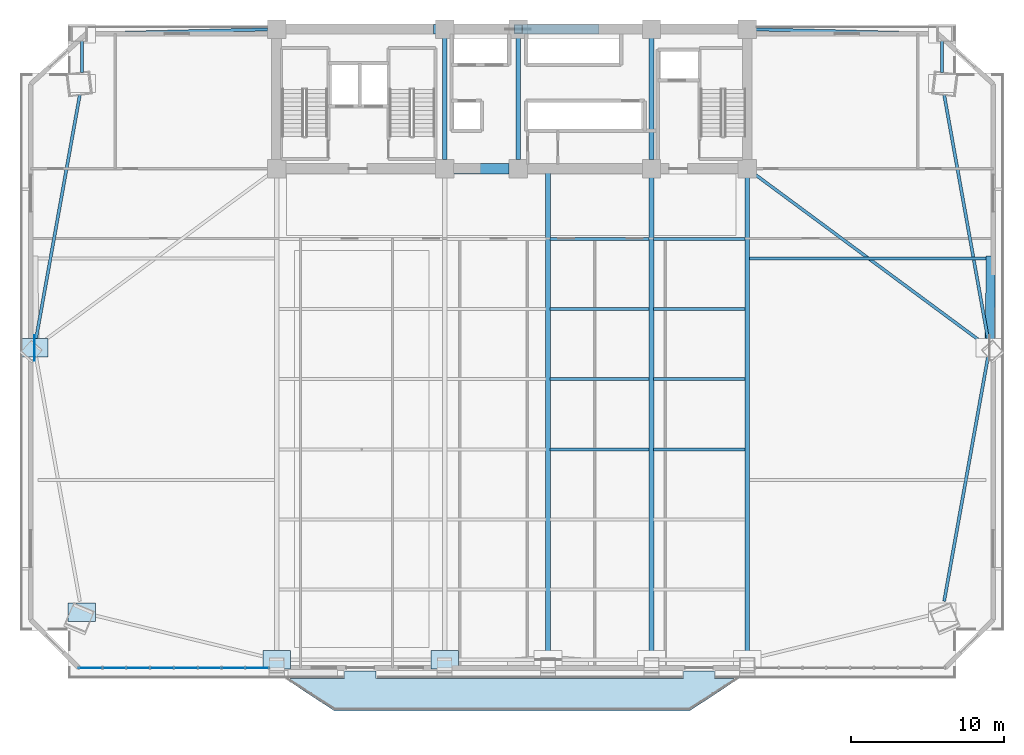
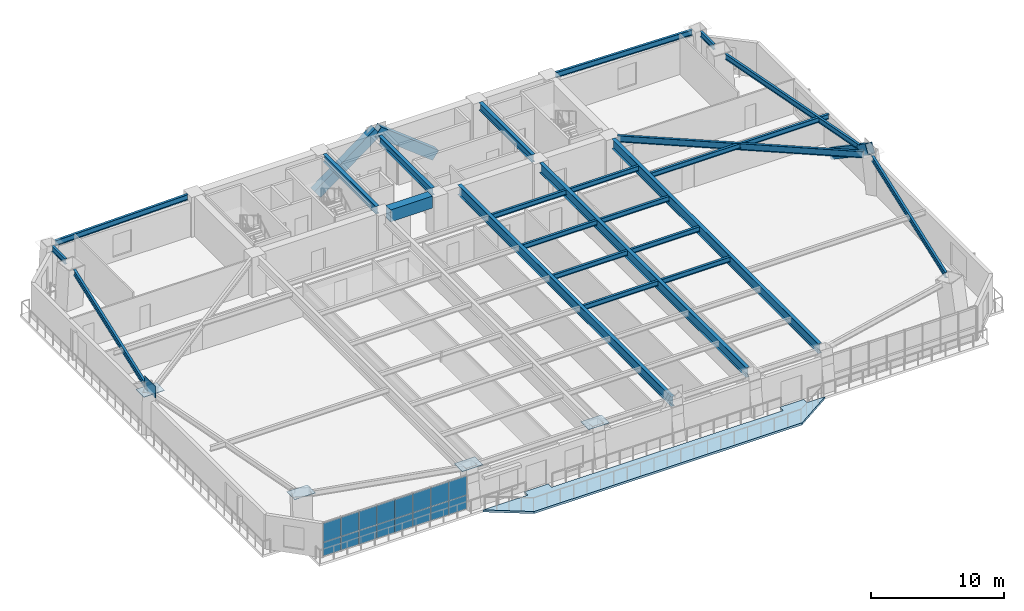
# One storey, part 8 of 18: 24 beams, 21 plates, 3 members, 1 slab, 1 element without a shape of its own.
"""IFC4 building model written with IfcOpenShell, lengths in metres."""

from ifc_helpers import new_model, si_unit, direction, frame, origin, origin_2d, place, context, subcontext, project, spatial, polyline, rectangle, hollow_rectangle, i_section, outline, extrude, source, transform, mapped, material, layer, layer_set, material_profile, profile_set, type_object, element, aggregate, save


model = new_model("IFC4")

# Units and contexts
model_context = context("Model", 3, precision=1e-05, world=origin(), true_north=direction((0.0, 1.0)))
body_context = subcontext(model_context, "Body", "Model", "MODEL_VIEW")
ifc_project = project(units=[si_unit("LENGTHUNIT", "METRE"), si_unit("AREAUNIT", "SQUARE_METRE"), si_unit("VOLUMEUNIT", "CUBIC_METRE"), si_unit("PLANEANGLEUNIT", "RADIAN"), si_unit("MASSUNIT", "GRAM", prefix="KILO")], contexts=[model_context])

# Site, building, storey
site_placement = place(None, origin())
site = spatial("IfcSite", under=ifc_project, at=site_placement, CompositionType="ELEMENT")
building_placement = place(site_placement, origin())
building = spatial("IfcBuilding", under=site, at=building_placement, Name="Giltprow Tower", CompositionType="ELEMENT")
storey_placement = place(building_placement, frame((0.0, 0.0, 68.89990234375)))
storey = spatial("IfcBuildingStorey", under=building, at=storey_placement, Name="L17", CompositionType="ELEMENT", Elevation=68.89990234375)

# Beams
ifc_material_1 = material(Name="Concrete C60", Category="concrete")
ifc_material_profile_1 = material_profile(ifc_material_1, rectangle(XDim=0.699951171875, YDim=1.10009765625, at=origin_2d()), Name="RC 1100x700")
ifc_profile_set_1 = profile_set([ifc_material_profile_1], Name="Concrete C60")
beam_type_1 = type_object("IfcBeamType", Name="BM-CPL-RC1100", PredefinedType="LINTEL", material=ifc_profile_set_1)
shared_shape_1 = source(origin(), body_context, "Body", "SweptSolid", [
    extrude(rectangle(XDim=0.699951171875, YDim=1.10009765625, at=origin_2d()), origin(), (0.0, 0.0, 1.0), 3.6298828125),
])
beam_1_placement = place(storey_placement, frame((31.385009765625, 37.449951171875, 3.090087890625), z_axis=(1.0, 0.0, 0.0), x_axis=(0.0, 1.0, 0.0)))
element("IfcBeam", 1, at=beam_1_placement, inside=storey, type_object=beam_type_1, Name="L17 Core Coupling Beam CB-1", PredefinedType="LINTEL", context=body_context, shape_type="MappedRepresentation", body=[
    mapped(shared_shape_1, transform((0.0, 0.0, 0.0), x_axis=(1.0, 0.0, 0.0), y_axis=(0.0, 1.0, 0.0), z_axis=(0.0, 0.0, 1.0), scale=1.0)),
])
ifc_material_2 = material(Name="Structural steel Q355B", Category="steel")
ifc_material_profile_2 = material_profile(ifc_material_2, i_section(OverallWidth=0.300048828125, OverallDepth=0.699951171875, WebThickness=0.012939453125, FlangeThickness=0.02392578125, at=origin_2d()), Name="HN 700x300x13x24")
ifc_profile_set_2 = profile_set([ifc_material_profile_2], Name="Structural steel Q355B")
beam_type_2 = type_object("IfcBeamType", Name="BM-GIRD-HN700", PredefinedType="BEAM", material=ifc_profile_set_2)
shared_shape_2 = source(origin(), body_context, "Body", "SweptSolid", [
    extrude(i_section(OverallWidth=0.300048828125, OverallDepth=0.699951171875, WebThickness=0.012939453125, FlangeThickness=0.02392578125, at=origin_2d()), origin(), (0.0, 0.0, 1.0), 7.93017578125),
])
for number, where, z_axis, x_axis, name in (
    (2, (30.800048828125, 38.034912109375, 3.2900390625), (0.0, 1.0, 0.0), (-1.0, 0.0, 0.0), "L17 Core Tie Girder M1"),
    (3, (35.60009765625, 38.034912109375, 3.2900390625), (0.0, 1.0, 0.0), (-1.0, 0.0, 0.0), "L17 Core Tie Girder M2"),
    (4, (44.300048828125, 38.034912109375, 3.2900390625), (0.0, 1.0, 0.0), (-1.0, 0.0, 0.0), "L17 Core Tie Girder M3"),
):
    element("IfcBeam", number, at=place(storey_placement, frame(where, z_axis=z_axis, x_axis=x_axis)), inside=storey, type_object=beam_type_2, Name=name, PredefinedType="BEAM", context=body_context, shape_type="MappedRepresentation", body=[
        mapped(shared_shape_2, transform((0.0, 0.0, 0.0), x_axis=(1.0, 0.0, 0.0), y_axis=(0.0, 1.0, 0.0), z_axis=(0.0, 0.0, 1.0), scale=1.0)),
    ])
ifc_material_profile_3 = material_profile(ifc_material_2, i_section(OverallWidth=0.199951171875, OverallDepth=0.449951171875, WebThickness=0.009033203125, FlangeThickness=0.013916015625, at=origin_2d()), Name="HN 450x200x9x14")
ifc_profile_set_3 = profile_set([ifc_material_profile_3], Name="Structural steel Q355B")
beam_type_3 = type_object("IfcBeamType", Name="BM-JOIST-HN450", PredefinedType="JOIST", material=ifc_profile_set_3)
shared_shape_3 = source(origin(), body_context, "Body", "SweptSolid", [
    extrude(i_section(OverallWidth=0.199951171875, OverallDepth=0.449951171875, WebThickness=0.009033203125, FlangeThickness=0.013916015625, at=origin_2d()), origin(), (0.0, 0.0, 1.0), 6.4599609375),
])
for number, where, z_axis, x_axis, name in (
    (5, (37.695068359375, 19.14111328125, 3.4150390625), (1.0, 0.0, 0.0), (0.0, 1.0, 0.0), "L17 Composite Floor Joist 3-3"),
    (6, (37.695068359375, 23.718017578125, 3.4150390625), (1.0, 0.0, 0.0), (0.0, 1.0, 0.0), "L17 Composite Floor Joist 4-3"),
    (7, (37.695068359375, 28.294921875, 3.4150390625), (1.0, 0.0, 0.0), (0.0, 1.0, 0.0), "L17 Composite Floor Joist 5-3"),
    (8, (37.695068359375, 32.873046875, 3.4150390625), (1.0, 0.0, 0.0), (0.0, 1.0, 0.0), "L17 Composite Floor Joist 6-3"),
):
    element("IfcBeam", number, at=place(storey_placement, frame(where, z_axis=z_axis, x_axis=x_axis)), inside=storey, type_object=beam_type_3, Name=name, PredefinedType="JOIST", context=body_context, shape_type="MappedRepresentation", body=[
        mapped(shared_shape_3, transform((0.0, 0.0, 0.0), x_axis=(1.0, 0.0, 0.0), y_axis=(0.0, 1.0, 0.0), z_axis=(0.0, 0.0, 1.0), scale=1.0)),
    ])
shared_shape_4 = source(origin(), body_context, "Body", "SweptSolid", [
    extrude(i_section(OverallWidth=0.199951171875, OverallDepth=0.449951171875, WebThickness=0.009033203125, FlangeThickness=0.013916015625, at=origin_2d()), origin(), (0.0, 0.0, 1.0), 5.9599609375),
])
for number, where, z_axis, x_axis, name in (
    (9, (44.445068359375, 19.14111328125, 3.4150390625), (1.0, 0.0, 0.0), (0.0, 1.0, 0.0), "L17 Composite Floor Joist 3-4"),
    (10, (44.445068359375, 23.718017578125, 3.4150390625), (1.0, 0.0, 0.0), (0.0, 1.0, 0.0), "L17 Composite Floor Joist 4-4"),
    (11, (44.445068359375, 28.294921875, 3.4150390625), (1.0, 0.0, 0.0), (0.0, 1.0, 0.0), "L17 Composite Floor Joist 5-4"),
    (12, (44.445068359375, 32.873046875, 3.4150390625), (1.0, 0.0, 0.0), (0.0, 1.0, 0.0), "L17 Composite Floor Joist 6-4"),
):
    element("IfcBeam", number, at=place(storey_placement, frame(where, z_axis=z_axis, x_axis=x_axis)), inside=storey, type_object=beam_type_3, Name=name, PredefinedType="JOIST", context=body_context, shape_type="MappedRepresentation", body=[
        mapped(shared_shape_4, transform((0.0, 0.0, 0.0), x_axis=(1.0, 0.0, 0.0), y_axis=(0.0, 1.0, 0.0), z_axis=(0.0, 0.0, 1.0), scale=1.0)),
    ])
ifc_material_profile_4 = material_profile(ifc_material_2, i_section(OverallWidth=0.199951171875, OverallDepth=0.5, WebThickness=0.010009765625, FlangeThickness=0.01611328125, at=origin_2d()), Name="HN 500x200x10x16")
ifc_profile_set_4 = profile_set([ifc_material_profile_4], Name="Structural steel Q355B")
beam_type_4 = type_object("IfcBeamType", Name="BM-SPAN-HN500", PredefinedType="SPANDREL", material=ifc_profile_set_4)
shared_shape_5 = source(origin(), body_context, "Body", "SweptSolid", [
    extrude(i_section(OverallWidth=0.199951171875, OverallDepth=0.5, WebThickness=0.010009765625, FlangeThickness=0.01611328125, at=origin_2d()), origin(), (0.0, 0.0, 1.0), 16.306396484375),
])
beam_2_placement = place(storey_placement, frame((63.39501953125, 9.22802734375, 3.39013671875), z_axis=(0.176610878208, 0.984280751462, 0.0), x_axis=(-0.984280751462, 0.176610878208, 0.0)))
element("IfcBeam", 13, at=beam_2_placement, inside=storey, type_object=beam_type_4, Name="L17 Perimeter Spandrel Beam MC_SE-E_MID", PredefinedType="SPANDREL", context=body_context, shape_type="MappedRepresentation", body=[
    mapped(shared_shape_5, transform((0.0, 0.0, 0.0), x_axis=(1.0, 0.0, 0.0), y_axis=(0.0, 1.0, 0.0), z_axis=(0.0, 0.0, 1.0), scale=1.0)),
])
shared_shape_6 = source(origin(), body_context, "Body", "SweptSolid", [
    extrude(i_section(OverallWidth=0.199951171875, OverallDepth=0.5, WebThickness=0.010009765625, FlangeThickness=0.01611328125, at=origin_2d()), origin(), (0.0, 0.0, 1.0), 16.305419921875),
])
for number, where, z_axis, x_axis, name in (
    (14, (66.27490234375, 26.23193359375, 3.39013671875), (-0.176621289492, 0.984278883294, 0.0), (-0.984278883294, -0.176621289492, 0.0), "L17 Perimeter Spandrel Beam E_MID-MC_NE"),
    (15, (7.006103515625, 42.281005859375, 3.39013671875), (-0.176635795333, -0.984276280222, 0.0), (0.984276280222, -0.176635795333, 0.0), "L17 Perimeter Spandrel Beam MC_NW-W_MID"),
):
    element("IfcBeam", number, at=place(storey_placement, frame(where, z_axis=z_axis, x_axis=x_axis)), inside=storey, type_object=beam_type_4, Name=name, PredefinedType="SPANDREL", context=body_context, shape_type="MappedRepresentation", body=[
        mapped(shared_shape_6, transform((0.0, 0.0, 0.0), x_axis=(1.0, 0.0, 0.0), y_axis=(0.0, 1.0, 0.0), z_axis=(0.0, 0.0, 1.0), scale=1.0)),
    ])
shared_shape_7 = source(origin(), body_context, "Body", "SweptSolid", [
    extrude(i_section(OverallWidth=0.199951171875, OverallDepth=0.5, WebThickness=0.010009765625, FlangeThickness=0.01611328125, at=origin_2d()), origin(), (0.0, 0.0, 1.0), 2.02587890625),
])
for number, where, z_axis, x_axis, name in (
    (16, (63.264892578125, 43.739013671875, 3.39013671875), (0.0, 1.0, 0.0), (-1.0, 0.0, 0.0), "L17 Perimeter Spandrel Beam MC_NE-N_E"),
    (17, (7.135986328125, 45.764892578125, 3.39013671875), (0.0, -1.0, 0.0), (1.0, 0.0, 0.0), "L17 Perimeter Spandrel Beam N_W-MC_NW"),
):
    element("IfcBeam", number, at=place(storey_placement, frame(where, z_axis=z_axis, x_axis=x_axis)), inside=storey, type_object=beam_type_4, Name=name, PredefinedType="SPANDREL", context=body_context, shape_type="MappedRepresentation", body=[
        mapped(shared_shape_7, transform((0.0, 0.0, 0.0), x_axis=(1.0, 0.0, 0.0), y_axis=(0.0, 1.0, 0.0), z_axis=(0.0, 0.0, 1.0), scale=1.0)),
    ])
shared_shape_8 = source(origin(), body_context, "Body", "SweptSolid", [
    extrude(i_section(OverallWidth=0.199951171875, OverallDepth=0.5, WebThickness=0.010009765625, FlangeThickness=0.01611328125, at=origin_2d()), origin(), (0.0, 0.0, 1.0), 11.64697265625),
])
beam_3_placement = place(storey_placement, frame((7.62109375, 46.260986328125, 3.39013671875), z_axis=(0.999721416114, 0.023602757523, 0.0), x_axis=(-0.023602757523, 0.999721416114, 0.0)))
element("IfcBeam", 18, at=beam_3_placement, inside=storey, type_object=beam_type_4, Name="L17 North Wing Spandrel W", PredefinedType="SPANDREL", context=body_context, shape_type="MappedRepresentation", body=[
    mapped(shared_shape_8, transform((0.0, 0.0, 0.0), x_axis=(1.0, 0.0, 0.0), y_axis=(0.0, 1.0, 0.0), z_axis=(0.0, 0.0, 1.0), scale=1.0)),
])
shared_shape_9 = source(origin(), body_context, "Body", "SweptSolid", [
    extrude(i_section(OverallWidth=0.199951171875, OverallDepth=0.5, WebThickness=0.010009765625, FlangeThickness=0.01611328125, at=origin_2d()), origin(), (0.0, 0.0, 1.0), 11.648193359375),
])
beam_4_placement = place(storey_placement, frame((51.135009765625, 46.535888671875, 3.39013671875), z_axis=(0.999721474492, -0.023600284714, 0.0), x_axis=(0.023600284714, 0.999721474492, 0.0)))
element("IfcBeam", 19, at=beam_4_placement, inside=storey, type_object=beam_type_4, Name="L17 North Wing Spandrel E", PredefinedType="SPANDREL", context=body_context, shape_type="MappedRepresentation", body=[
    mapped(shared_shape_9, transform((0.0, 0.0, 0.0), x_axis=(1.0, 0.0, 0.0), y_axis=(0.0, 1.0, 0.0), z_axis=(0.0, 0.0, 1.0), scale=1.0)),
])
ifc_material_profile_5 = material_profile(ifc_material_2, i_section(OverallWidth=0.300048828125, OverallDepth=0.89990234375, WebThickness=0.01611328125, FlangeThickness=0.028076171875, at=origin_2d()), Name="HN 900x300x16x28")
ifc_profile_set_5 = profile_set([ifc_material_profile_5], Name="Structural steel Q355B")
beam_type_5 = type_object("IfcBeamType", Name="BM-GIRD-HN900", PredefinedType="BEAM", material=ifc_profile_set_5)
shared_shape_10 = source(origin(), body_context, "Body", "SweptSolid", [
    extrude(i_section(OverallWidth=0.300048828125, OverallDepth=0.89990234375, WebThickness=0.01611328125, FlangeThickness=0.028076171875, at=origin_2d()), origin(), (0.0, 0.0, 1.0), 30.970947265625),
])
for number, where, z_axis, x_axis, name in (
    (20, (44.300048828125, 5.89404296875, 3.190185546875), (0.0, 1.0, 0.0), (-1.0, 0.0, 0.0), "L17 Primary Lease Girder S3"),
    (21, (50.550048828125, 5.89404296875, 3.190185546875), (0.0, 1.0, 0.0), (-1.0, 0.0, 0.0), "L17 Primary Lease Girder S4"),
):
    element("IfcBeam", number, at=place(storey_placement, frame(where, z_axis=z_axis, x_axis=x_axis)), inside=storey, type_object=beam_type_5, Name=name, PredefinedType="BEAM", context=body_context, shape_type="MappedRepresentation", body=[
        mapped(shared_shape_10, transform((0.0, 0.0, 0.0), x_axis=(1.0, 0.0, 0.0), y_axis=(0.0, 1.0, 0.0), z_axis=(0.0, 0.0, 1.0), scale=1.0)),
    ])
shared_shape_11 = source(origin(), body_context, "Body", "SweptSolid", [
    extrude(i_section(OverallWidth=0.300048828125, OverallDepth=0.89990234375, WebThickness=0.01611328125, FlangeThickness=0.028076171875, at=origin_2d()), origin(), (0.0, 0.0, 1.0), 32.041015625),
])
beam_5_placement = place(storey_placement, frame((37.550048828125, 5.408935546875, 3.190185546875), z_axis=(0.0, 1.0, 0.0), x_axis=(-1.0, 0.0, 0.0)))
element("IfcBeam", 22, at=beam_5_placement, inside=storey, type_object=beam_type_5, Name="L17 Central Lease Girder SMID", PredefinedType="BEAM", context=body_context, shape_type="MappedRepresentation", body=[
    mapped(shared_shape_11, transform((0.0, 0.0, 0.0), x_axis=(1.0, 0.0, 0.0), y_axis=(0.0, 1.0, 0.0), z_axis=(0.0, 0.0, 1.0), scale=1.0)),
])
ifc_material_profile_6 = material_profile(ifc_material_2, i_section(OverallWidth=0.199951171875, OverallDepth=0.60009765625, WebThickness=0.010986328125, FlangeThickness=0.01708984375, at=origin_2d()), Name="HN 600x200x11x17")
ifc_profile_set_6 = profile_set([ifc_material_profile_6], Name="Structural steel Q355B")
beam_type_6 = type_object("IfcBeamType", Name="BM-GIRD-HN600", PredefinedType="BEAM", material=ifc_profile_set_6)
shared_shape_12 = source(origin(), body_context, "Body", "SweptSolid", [
    extrude(i_section(OverallWidth=0.199951171875, OverallDepth=0.60009765625, WebThickness=0.010986328125, FlangeThickness=0.01708984375, at=origin_2d()), origin(), (0.0, 0.0, 1.0), 18.5966796875),
])
beam_6_placement = place(storey_placement, frame((65.970947265625, 26.04296875, 3.340087890625), z_axis=(-0.803960274963, 0.59468300487, 0.0), x_axis=(-0.59468300487, -0.803960274963, 0.0)))
element("IfcBeam", 23, at=beam_6_placement, inside=storey, type_object=beam_type_6, Name="L17 East Wing Primary Girder", PredefinedType="BEAM", context=body_context, shape_type="MappedRepresentation", body=[
    mapped(shared_shape_12, transform((0.0, 0.0, 0.0), x_axis=(1.0, 0.0, 0.0), y_axis=(0.0, 1.0, 0.0), z_axis=(0.0, 0.0, 1.0), scale=1.0)),
])
shared_shape_13 = source(origin(), body_context, "Body", "SweptSolid", [
    extrude(i_section(OverallWidth=0.199951171875, OverallDepth=0.449951171875, WebThickness=0.009033203125, FlangeThickness=0.013916015625, at=origin_2d()), origin(), (0.0, 0.0, 1.0), 15.446044921875),
])
beam_7_placement = place(storey_placement, frame((50.695068359375, 31.60205078125, 3.4150390625), z_axis=(1.0, 0.0, 0.0), x_axis=(0.0, 1.0, 0.0)))
element("IfcBeam", 24, at=beam_7_placement, inside=storey, type_object=beam_type_3, Name="L17 East Wing Floor Joist 2", PredefinedType="JOIST", context=body_context, shape_type="MappedRepresentation", body=[
    mapped(shared_shape_13, transform((0.0, 0.0, 0.0), x_axis=(1.0, 0.0, 0.0), y_axis=(0.0, 1.0, 0.0), z_axis=(0.0, 0.0, 1.0), scale=1.0)),
])

# Members
ifc_material_3 = material(Name="Structural steel Q420GJC", Category="steel")
ifc_material_profile_7 = material_profile(ifc_material_3, hollow_rectangle(XDim=0.60009765625, YDim=0.89990234375, WallThickness=0.0400390625, at=origin_2d()), Name="RHS 900x600x40")
ifc_profile_set_7 = profile_set([ifc_material_profile_7], Name="Structural steel Q420GJC")
member_type = type_object("IfcMemberType", Name="MBR-MEGA-RHS900", PredefinedType="BRACE", material=ifc_profile_set_7)
shared_shape_14 = source(origin(), body_context, "Body", "SweptSolid", [
    extrude(hollow_rectangle(XDim=0.60009765625, YDim=0.89990234375, WallThickness=0.0400390625, at=origin_2d()), origin(), (0.0, 0.0, 1.0), 6.5400390625),
])
member_1_placement = place(storey_placement, frame((30.35009765625, 46.550048828125, -0.139892578125), z_axis=(0.802750995836, 0.0, 0.596314379068), x_axis=(0.0, 1.0, 0.0)))
element("IfcMember", 25, at=member_1_placement, inside=storey, type_object=member_type, Name="L17 Chevron Mega-Brace N-L", PredefinedType="BRACE", context=body_context, shape_type="MappedRepresentation", body=[
    mapped(shared_shape_14, transform((0.0, 0.0, 0.0), x_axis=(1.0, 0.0, 0.0), y_axis=(0.0, 1.0, 0.0), z_axis=(0.0, 0.0, 1.0), scale=1.0)),
])
shared_shape_15 = source(origin(), body_context, "Body", "SweptSolid", [
    extrude(hollow_rectangle(XDim=0.60009765625, YDim=0.89990234375, WallThickness=0.0400390625, at=origin_2d()), origin(), (0.0, 0.0, 1.0), 6.32763671875),
])
member_2_placement = place(storey_placement, frame((40.5830078125, 46.550048828125, -0.139892578125), z_axis=(-0.787487088571, 0.0, 0.616331149086), x_axis=(0.0, -1.0, 0.0)))
element("IfcMember", 26, at=member_2_placement, inside=storey, type_object=member_type, Name="L17 Chevron Mega-Brace N-R", PredefinedType="BRACE", context=body_context, shape_type="MappedRepresentation", body=[
    mapped(shared_shape_15, transform((0.0, 0.0, 0.0), x_axis=(1.0, 0.0, 0.0), y_axis=(0.0, 1.0, 0.0), z_axis=(0.0, 0.0, 1.0), scale=1.0)),
])
shared_shape_16 = source(origin(), body_context, "Body", "SweptSolid", [
    extrude(hollow_rectangle(XDim=0.60009765625, YDim=0.89990234375, WallThickness=0.0400390625, at=origin_2d()), origin(), (0.0, 0.0, 1.0), 6.941162109375),
])
member_3_placement = place(storey_placement, frame((66.43896484375, 31.49609375, 0.0), z_axis=(-0.011220265837, -0.827134079707, 0.561892623036), x_axis=(0.999908004934, -0.013563984248, 0.0)))
element("IfcMember", 27, at=member_3_placement, inside=storey, type_object=member_type, Name="L17 Chevron Mega-Brace E-R", PredefinedType="BRACE", context=body_context, shape_type="MappedRepresentation", body=[
    mapped(shared_shape_16, transform((0.0, 0.0, 0.0), x_axis=(1.0, 0.0, 0.0), y_axis=(0.0, 1.0, 0.0), z_axis=(0.0, 0.0, 1.0), scale=1.0)),
])

# Slab
ifc_material_4 = material(Name="Concrete C40", Category="concrete")
ifc_layer_1 = layer(ifc_material_4, 0.199951171875, Name="Concrete C40")
ifc_layer_set_1 = layer_set([ifc_layer_1], Name="Concrete C40")
slab_type = type_object("IfcSlabType", Name="SLB-BALC-BRONZE-200", PredefinedType="FLOOR", material=ifc_layer_set_1)
slab_placement = place(storey_placement, frame((0.0, 0.0, -0.199951171875)))
element("IfcSlab", 28, at=slab_placement, inside=storey, type_object=slab_type, Name="L17 Bronze Prow Waterfront Balcony Slab", PredefinedType="FLOOR", context=body_context, shape_type="SweptSolid", body=[
    extrude(outline(polyline([(50.0, 4.181884765625), (46.800048828125, 2.08203125), (23.60009765625, 2.08203125), (20.39990234375, 4.181884765625), (24.280029296875, 4.181884765625), (24.280029296875, 4.681884765625), (26.320068359375, 4.681884765625), (26.320068359375, 4.181884765625), (46.3798828125, 4.181884765625), (46.3798828125, 4.681884765625), (48.419921875, 4.681884765625), (48.419921875, 4.181884765625), (50.0, 4.181884765625)])), origin(), (0.0, 0.0, 1.0), 0.199951171875),
])

# Plates
plate_type_1 = type_object("IfcPlateType", Name="PLT-NODE-CKN1", PredefinedType="USERDEFINED", material=ifc_material_3)
shared_shape_17 = source(origin(), body_context, "Body", "SweptSolid", [
    extrude(rectangle(XDim=1.800048828125, YDim=1.199951171875, at=origin_2d()), origin(), (0.0, 0.0, 1.0), 0.044921875),
])
for number, where, z_axis, x_axis, name in (
    (29, (7.135986328125, 8.5048828125, 3.59765625), (0.0, 0.0, 1.0), (1.0, 0.0, 0.0), "CKN1 Column Taper Splice Node L17-MC_SW"),
    (30, (19.85009765625, 5.408935546875, 3.59765625), (0.0, 0.0, 1.0), (1.0, 0.0, 0.0), "CKN1 Column Taper Splice Node L17-S1"),
    (31, (30.800048828125, 5.408935546875, 3.59765625), (0.0, 0.0, 1.0), (1.0, 0.0, 0.0), "CKN1 Column Taper Splice Node L17-S2"),
    (32, (4.0400390625, 25.7548828125, 3.59765625), (0.0, 0.0, 1.0), (1.0, 0.0, 0.0), "CKN1 Column Taper Splice Node L17-W_MID"),
):
    element("IfcPlate", number, at=place(storey_placement, frame(where, z_axis=z_axis, x_axis=x_axis)), inside=storey, type_object=plate_type_1, Name=name, ObjectType="SPLICE", PredefinedType="USERDEFINED", context=body_context, shape_type="MappedRepresentation", body=[
        mapped(shared_shape_17, transform((0.0, 0.0, 0.0), x_axis=(1.0, 0.0, 0.0), y_axis=(0.0, 1.0, 0.0), z_axis=(0.0, 0.0, 1.0), scale=1.0)),
    ])
plate_type_2 = type_object("IfcPlateType", Name="PLT-NODE-MBN2", PredefinedType="USERDEFINED", material=ifc_material_3)
shared_shape_18 = source(origin(), body_context, "Body", "SweptSolid", [
    extrude(rectangle(XDim=1.64990234375, YDim=0.044921875, at=origin_2d()), origin(), (0.0, 0.0, 1.0), 1.050048828125),
])
plate_1_placement = place(storey_placement, frame((4.0400390625, 25.7548828125, 3.375), z_axis=(0.0, 0.0, 1.0), x_axis=(0.0, 1.0, 0.0)))
element("IfcPlate", 33, at=plate_1_placement, inside=storey, type_object=plate_type_2, Name="Mega-Brace Node L17-W-RB", ObjectType="GUSSET", PredefinedType="USERDEFINED", context=body_context, shape_type="MappedRepresentation", body=[
    mapped(shared_shape_18, transform((0.0, 0.0, 0.0), x_axis=(1.0, 0.0, 0.0), y_axis=(0.0, 1.0, 0.0), z_axis=(0.0, 0.0, 1.0), scale=1.0)),
])

# Curtain wall, plates
ifc_material_5 = material(Name="Anodized bronze", Category="metal")
ifc_layer_2 = layer(ifc_material_5, 0.179931640625, Name="Anodized bronze")
ifc_layer_set_2 = layer_set([ifc_layer_2], Name="Anodized bronze")
curtain_wall_type = type_object("IfcCurtainWallType", Name="CW-OFF-RECESSED", PredefinedType="NOTDEFINED", material=ifc_layer_set_2)
curtain_wall_placement = place(storey_placement, origin())
curtain_wall = element("IfcCurtainWall", 34, at=curtain_wall_placement, inside=storey, type_object=curtain_wall_type, Name="L17 South Recessed Curtain Wall 1", PredefinedType="NOTDEFINED")
ifc_material_6 = material(Name="Insulated glass", Category="glass")
plate_type_3 = type_object("IfcPlateType", Name="CW-PANEL-IGU-28", PredefinedType="CURTAIN_PANEL", material=ifc_material_6)
shared_shape_19 = source(origin(), body_context, "Body", "SweptSolid", [
    extrude(rectangle(XDim=1.52294921875, YDim=0.028076171875, at=origin_2d()), origin(), (0.0, 0.0, 1.0), 1.241943359375),
])
plate_2_placement = place(storey_placement, frame((7.702880859375, 4.882080078125, 0.05419921875), z_axis=(0.0, 0.0, 1.0), x_axis=(1.0, 0.0, 0.0)))
plate_2 = element("IfcPlate", 35, at=plate_2_placement, type_object=plate_type_3, Name="L17 South Recessed Curtain Wall 1 Glazing Panel 1-1", PredefinedType="CURTAIN_PANEL", context=body_context, shape_type="MappedRepresentation", body=[
    mapped(shared_shape_19, transform((0.0, 0.0, 0.0), x_axis=(1.0, 0.0, 0.0), y_axis=(0.0, 1.0, 0.0), z_axis=(0.0, 0.0, 1.0), scale=1.0)),
])
plate_3_placement = place(storey_placement, frame((9.256103515625, 4.882080078125, 0.05419921875), z_axis=(0.0, 0.0, 1.0), x_axis=(1.0, 0.0, 0.0)))
plate_3 = element("IfcPlate", 36, at=plate_3_placement, type_object=plate_type_3, Name="L17 South Recessed Curtain Wall 1 Glazing Panel 2-1", PredefinedType="CURTAIN_PANEL", context=body_context, shape_type="MappedRepresentation", body=[
    mapped(shared_shape_19, transform((0.0, 0.0, 0.0), x_axis=(1.0, 0.0, 0.0), y_axis=(0.0, 1.0, 0.0), z_axis=(0.0, 0.0, 1.0), scale=1.0)),
])
plate_4_placement = place(storey_placement, frame((10.80908203125, 4.882080078125, 0.05419921875), z_axis=(0.0, 0.0, 1.0), x_axis=(1.0, 0.0, 0.0)))
plate_4 = element("IfcPlate", 37, at=plate_4_placement, type_object=plate_type_3, Name="L17 South Recessed Curtain Wall 1 Glazing Panel 3-1", PredefinedType="CURTAIN_PANEL", context=body_context, shape_type="MappedRepresentation", body=[
    mapped(shared_shape_19, transform((0.0, 0.0, 0.0), x_axis=(1.0, 0.0, 0.0), y_axis=(0.0, 1.0, 0.0), z_axis=(0.0, 0.0, 1.0), scale=1.0)),
])
plate_5_placement = place(storey_placement, frame((12.362060546875, 4.882080078125, 0.05419921875), z_axis=(0.0, 0.0, 1.0), x_axis=(1.0, 0.0, 0.0)))
plate_5 = element("IfcPlate", 38, at=plate_5_placement, type_object=plate_type_3, Name="L17 South Recessed Curtain Wall 1 Glazing Panel 4-1", PredefinedType="CURTAIN_PANEL", context=body_context, shape_type="MappedRepresentation", body=[
    mapped(shared_shape_19, transform((0.0, 0.0, 0.0), x_axis=(1.0, 0.0, 0.0), y_axis=(0.0, 1.0, 0.0), z_axis=(0.0, 0.0, 1.0), scale=1.0)),
])
plate_6_placement = place(storey_placement, frame((13.9150390625, 4.882080078125, 0.05419921875), z_axis=(0.0, 0.0, 1.0), x_axis=(1.0, 0.0, 0.0)))
plate_6 = element("IfcPlate", 39, at=plate_6_placement, type_object=plate_type_3, Name="L17 South Recessed Curtain Wall 1 Glazing Panel 5-1", PredefinedType="CURTAIN_PANEL", context=body_context, shape_type="MappedRepresentation", body=[
    mapped(shared_shape_19, transform((0.0, 0.0, 0.0), x_axis=(1.0, 0.0, 0.0), y_axis=(0.0, 1.0, 0.0), z_axis=(0.0, 0.0, 1.0), scale=1.0)),
])
plate_7_placement = place(storey_placement, frame((15.468017578125, 4.882080078125, 0.05419921875), z_axis=(0.0, 0.0, 1.0), x_axis=(1.0, 0.0, 0.0)))
plate_7 = element("IfcPlate", 40, at=plate_7_placement, type_object=plate_type_3, Name="L17 South Recessed Curtain Wall 1 Glazing Panel 6-1", PredefinedType="CURTAIN_PANEL", context=body_context, shape_type="MappedRepresentation", body=[
    mapped(shared_shape_19, transform((0.0, 0.0, 0.0), x_axis=(1.0, 0.0, 0.0), y_axis=(0.0, 1.0, 0.0), z_axis=(0.0, 0.0, 1.0), scale=1.0)),
])
plate_8_placement = place(storey_placement, frame((17.02099609375, 4.882080078125, 0.05419921875), z_axis=(0.0, 0.0, 1.0), x_axis=(1.0, 0.0, 0.0)))
plate_8 = element("IfcPlate", 41, at=plate_8_placement, type_object=plate_type_3, Name="L17 South Recessed Curtain Wall 1 Glazing Panel 7-1", PredefinedType="CURTAIN_PANEL", context=body_context, shape_type="MappedRepresentation", body=[
    mapped(shared_shape_19, transform((0.0, 0.0, 0.0), x_axis=(1.0, 0.0, 0.0), y_axis=(0.0, 1.0, 0.0), z_axis=(0.0, 0.0, 1.0), scale=1.0)),
])
plate_9_placement = place(storey_placement, frame((18.573974609375, 4.882080078125, 0.05419921875), z_axis=(0.0, 0.0, 1.0), x_axis=(1.0, 0.0, 0.0)))
plate_9 = element("IfcPlate", 42, at=plate_9_placement, type_object=plate_type_3, Name="L17 South Recessed Curtain Wall 1 Glazing Panel 8-1", PredefinedType="CURTAIN_PANEL", context=body_context, shape_type="MappedRepresentation", body=[
    mapped(shared_shape_19, transform((0.0, 0.0, 0.0), x_axis=(1.0, 0.0, 0.0), y_axis=(0.0, 1.0, 0.0), z_axis=(0.0, 0.0, 1.0), scale=1.0)),
])
shared_shape_20 = source(origin(), body_context, "Body", "SweptSolid", [
    extrude(rectangle(XDim=1.52294921875, YDim=0.028076171875, at=origin_2d()), origin(), (0.0, 0.0, 1.0), 1.741943359375),
])
plate_10_placement = place(storey_placement, frame((7.702880859375, 4.882080078125, 1.32421875), z_axis=(0.0, 0.0, 1.0), x_axis=(1.0, 0.0, 0.0)))
plate_10 = element("IfcPlate", 43, at=plate_10_placement, type_object=plate_type_3, Name="L17 South Recessed Curtain Wall 1 Glazing Panel 1-2", PredefinedType="CURTAIN_PANEL", context=body_context, shape_type="MappedRepresentation", body=[
    mapped(shared_shape_20, transform((0.0, 0.0, 0.0), x_axis=(1.0, 0.0, 0.0), y_axis=(0.0, 1.0, 0.0), z_axis=(0.0, 0.0, 1.0), scale=1.0)),
])
plate_11_placement = place(storey_placement, frame((9.256103515625, 4.882080078125, 1.32421875), z_axis=(0.0, 0.0, 1.0), x_axis=(1.0, 0.0, 0.0)))
plate_11 = element("IfcPlate", 44, at=plate_11_placement, type_object=plate_type_3, Name="L17 South Recessed Curtain Wall 1 Glazing Panel 2-2", PredefinedType="CURTAIN_PANEL", context=body_context, shape_type="MappedRepresentation", body=[
    mapped(shared_shape_20, transform((0.0, 0.0, 0.0), x_axis=(1.0, 0.0, 0.0), y_axis=(0.0, 1.0, 0.0), z_axis=(0.0, 0.0, 1.0), scale=1.0)),
])
plate_12_placement = place(storey_placement, frame((10.80908203125, 4.882080078125, 1.32421875), z_axis=(0.0, 0.0, 1.0), x_axis=(1.0, 0.0, 0.0)))
plate_12 = element("IfcPlate", 45, at=plate_12_placement, type_object=plate_type_3, Name="L17 South Recessed Curtain Wall 1 Glazing Panel 3-2", PredefinedType="CURTAIN_PANEL", context=body_context, shape_type="MappedRepresentation", body=[
    mapped(shared_shape_20, transform((0.0, 0.0, 0.0), x_axis=(1.0, 0.0, 0.0), y_axis=(0.0, 1.0, 0.0), z_axis=(0.0, 0.0, 1.0), scale=1.0)),
])
plate_13_placement = place(storey_placement, frame((12.362060546875, 4.882080078125, 1.32421875), z_axis=(0.0, 0.0, 1.0), x_axis=(1.0, 0.0, 0.0)))
plate_13 = element("IfcPlate", 46, at=plate_13_placement, type_object=plate_type_3, Name="L17 South Recessed Curtain Wall 1 Glazing Panel 4-2", PredefinedType="CURTAIN_PANEL", context=body_context, shape_type="MappedRepresentation", body=[
    mapped(shared_shape_20, transform((0.0, 0.0, 0.0), x_axis=(1.0, 0.0, 0.0), y_axis=(0.0, 1.0, 0.0), z_axis=(0.0, 0.0, 1.0), scale=1.0)),
])
plate_14_placement = place(storey_placement, frame((13.9150390625, 4.882080078125, 1.32421875), z_axis=(0.0, 0.0, 1.0), x_axis=(1.0, 0.0, 0.0)))
plate_14 = element("IfcPlate", 47, at=plate_14_placement, type_object=plate_type_3, Name="L17 South Recessed Curtain Wall 1 Glazing Panel 5-2", PredefinedType="CURTAIN_PANEL", context=body_context, shape_type="MappedRepresentation", body=[
    mapped(shared_shape_20, transform((0.0, 0.0, 0.0), x_axis=(1.0, 0.0, 0.0), y_axis=(0.0, 1.0, 0.0), z_axis=(0.0, 0.0, 1.0), scale=1.0)),
])
plate_15_placement = place(storey_placement, frame((15.468017578125, 4.882080078125, 1.32421875), z_axis=(0.0, 0.0, 1.0), x_axis=(1.0, 0.0, 0.0)))
plate_15 = element("IfcPlate", 48, at=plate_15_placement, type_object=plate_type_3, Name="L17 South Recessed Curtain Wall 1 Glazing Panel 6-2", PredefinedType="CURTAIN_PANEL", context=body_context, shape_type="MappedRepresentation", body=[
    mapped(shared_shape_20, transform((0.0, 0.0, 0.0), x_axis=(1.0, 0.0, 0.0), y_axis=(0.0, 1.0, 0.0), z_axis=(0.0, 0.0, 1.0), scale=1.0)),
])
plate_16_placement = place(storey_placement, frame((17.02099609375, 4.882080078125, 1.32421875), z_axis=(0.0, 0.0, 1.0), x_axis=(1.0, 0.0, 0.0)))
plate_16 = element("IfcPlate", 49, at=plate_16_placement, type_object=plate_type_3, Name="L17 South Recessed Curtain Wall 1 Glazing Panel 7-2", PredefinedType="CURTAIN_PANEL", context=body_context, shape_type="MappedRepresentation", body=[
    mapped(shared_shape_20, transform((0.0, 0.0, 0.0), x_axis=(1.0, 0.0, 0.0), y_axis=(0.0, 1.0, 0.0), z_axis=(0.0, 0.0, 1.0), scale=1.0)),
])
plate_17_placement = place(storey_placement, frame((18.573974609375, 4.882080078125, 1.32421875), z_axis=(0.0, 0.0, 1.0), x_axis=(1.0, 0.0, 0.0)))
plate_17 = element("IfcPlate", 50, at=plate_17_placement, type_object=plate_type_3, Name="L17 South Recessed Curtain Wall 1 Glazing Panel 8-2", PredefinedType="CURTAIN_PANEL", context=body_context, shape_type="MappedRepresentation", body=[
    mapped(shared_shape_20, transform((0.0, 0.0, 0.0), x_axis=(1.0, 0.0, 0.0), y_axis=(0.0, 1.0, 0.0), z_axis=(0.0, 0.0, 1.0), scale=1.0)),
])
aggregate(curtain_wall, [plate_2, plate_10, plate_3, plate_11, plate_4, plate_12, plate_5, plate_13, plate_6, plate_14, plate_7, plate_15, plate_8, plate_16, plate_9, plate_17])

save(model, "model.ifc")
